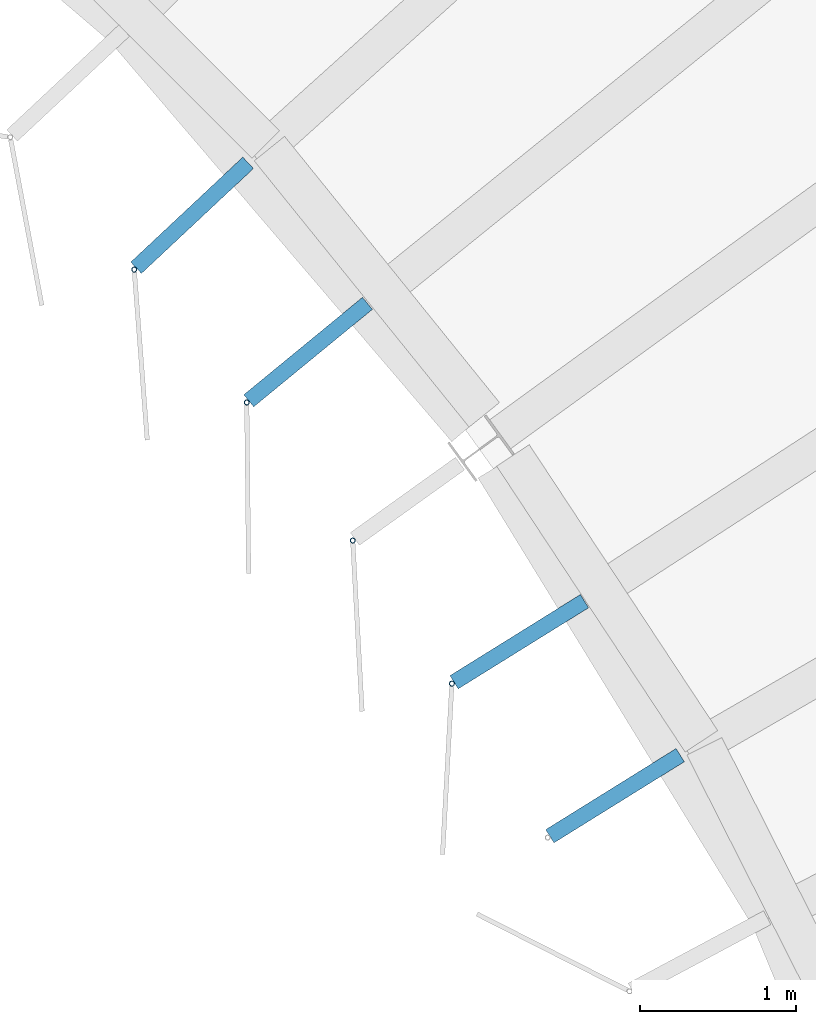
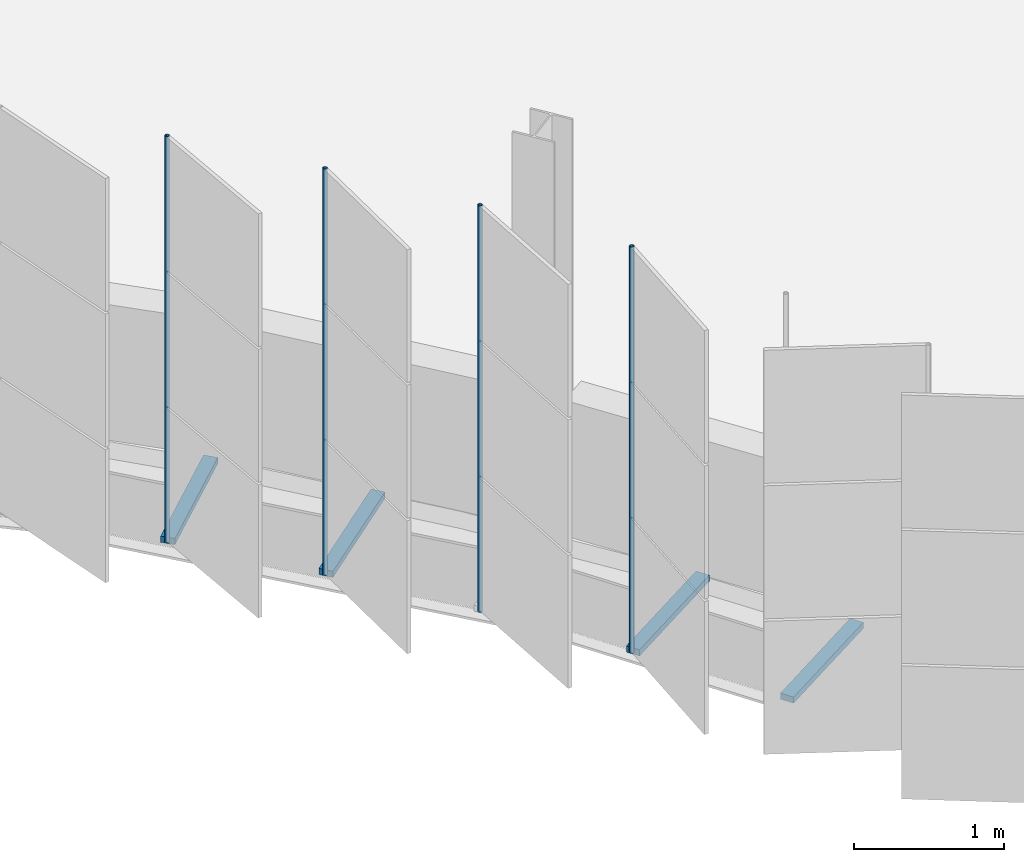
# One storey, part 116 of 199: 8 discrete accessories.
"""IFC4 building model written with IfcOpenShell, lengths in metres."""

from ifc_helpers import new_model, si_unit, direction, frame, origin, origin_2d, place, context, subcontext, project, spatial, rectangle, hollow_circle, extrude, material, material_profile, profile_set, type_object, element, save


model = new_model("IFC4")

# Units and contexts
model_context = context("Model", 3, precision=1e-05, world=origin(), true_north=direction((0.0, 1.0)))
body_context = subcontext(model_context, "Body", "Model", "MODEL_VIEW")
ifc_project = project(units=[si_unit("LENGTHUNIT", "METRE"), si_unit("AREAUNIT", "SQUARE_METRE"), si_unit("VOLUMEUNIT", "CUBIC_METRE"), si_unit("PLANEANGLEUNIT", "RADIAN"), si_unit("MASSUNIT", "GRAM", prefix="KILO")], contexts=[model_context])

# Site, building, storey
site_placement = place(None, origin())
site = spatial("IfcSite", under=ifc_project, at=site_placement, CompositionType="ELEMENT")
building_placement = place(site_placement, origin())
building = spatial("IfcBuilding", under=site, at=building_placement, Name="Parallax Yard Mobility Hub", CompositionType="ELEMENT")
storey_placement = place(building_placement, frame((0.0, 0.0, 9.89990234375)))
storey = spatial("IfcBuildingStorey", under=building, at=storey_placement, Name="L03", CompositionType="ELEMENT", Elevation=9.89990234375)

# Discrete accessories
ifc_material_1 = material(Name="Steel ASTM A36, hot-dip galvanised", Category="steel")
discrete_accessory_type_1 = type_object("IfcDiscreteAccessoryType", Name="Hinge bracket plate 100x50", PredefinedType="BRACKET", material=ifc_material_1)
for number, where, z_axis, x_axis, name in (
    (1, (188.852294921875, 104.718505859375, -0.02490234375), (0.0, 0.0, 1.0), (-0.729864072698, -0.683592302023, 0.0), "Hinge bracket plate bay 20.5 level L03"),
    (2, (189.595703125, 103.842041015625, -0.02490234375), (0.0, 0.0, 1.0), (-0.773010453363, -0.634393284164, 0.0), "Hinge bracket plate bay 20.6 level L03"),
    (3, (190.94921875, 101.985595703125, -0.02490234375), (0.0, 0.0, 1.0), (-0.849202181527, -0.52806785065, 0.0), "Hinge bracket plate bay 21.2 level L03"),
    (4, (191.56298828125, 100.998779296875, -0.02490234375), (0.0, 0.0, 1.0), (-0.849202181527, -0.52806785065, 0.0), "Hinge bracket plate bay 21.3 level L03"),
):
    element("IfcDiscreteAccessory", number, at=place(storey_placement, frame(where, z_axis=z_axis, x_axis=x_axis)), inside=storey, type_object=discrete_accessory_type_1, Name=name, PredefinedType="BRACKET", context=body_context, shape_type="SweptSolid", body=[
        extrude(rectangle(XDim=0.984130859375, YDim=0.10009765625, at=origin_2d()), origin(), (0.0, 0.0, 1.0), 0.050048828125),
    ])
ifc_material_2 = material(Name="Steel ASTM A500 Gr C, hot-dip galvanised", Category="steel")
ifc_material_profile = material_profile(ifc_material_2, hollow_circle(Radius=0.016845703125, WallThickness=0.003173828125, at=origin_2d()), Name="CHS 33.7x3.2")
ifc_profile_set = profile_set([ifc_material_profile], Name="Steel ASTM A500 Gr C, hot-dip galvanised")
discrete_accessory_type_2 = type_object("IfcDiscreteAccessoryType", Name="Hinge post CHS 33.7x3.2", PredefinedType="BRACKET", material=ifc_profile_set)
for number, where, z_axis, x_axis, name in (
    (5, (188.481201171875, 104.370849609375, 0.0), (0.0, 0.0, 1.0), (1.0, 0.0, 0.0), "Hinge post bay 20.5 level L03"),
    (6, (189.20263671875, 103.519287109375, 0.0), (0.0, 0.0, 1.0), (1.0, 0.0, 0.0), "Hinge post bay 20.6 level L03"),
    (7, (189.8818359375, 102.63427734375, 0.0), (0.0, 0.0, 1.0), (1.0, 0.0, 0.0), "Hinge post bay 21.1 level L03"),
    (8, (190.517578125, 101.71728515625, 0.0), (0.0, 0.0, 1.0), (1.0, 0.0, 0.0), "Hinge post bay 21.2 level L03"),
):
    element("IfcDiscreteAccessory", number, at=place(storey_placement, frame(where, z_axis=z_axis, x_axis=x_axis)), inside=storey, type_object=discrete_accessory_type_2, Name=name, PredefinedType="BRACKET", context=body_context, shape_type="SweptSolid", body=[
        extrude(hollow_circle(Radius=0.016845703125, WallThickness=0.003173828125, at=origin_2d()), origin(), (0.0, 0.0, 1.0), 3.300048828125),
    ])

save(model, "model.ifc")
